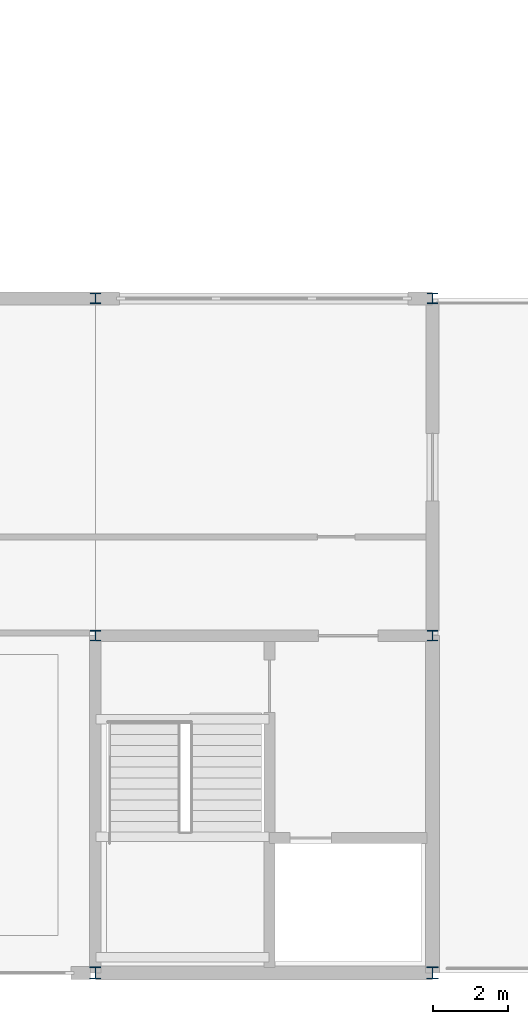
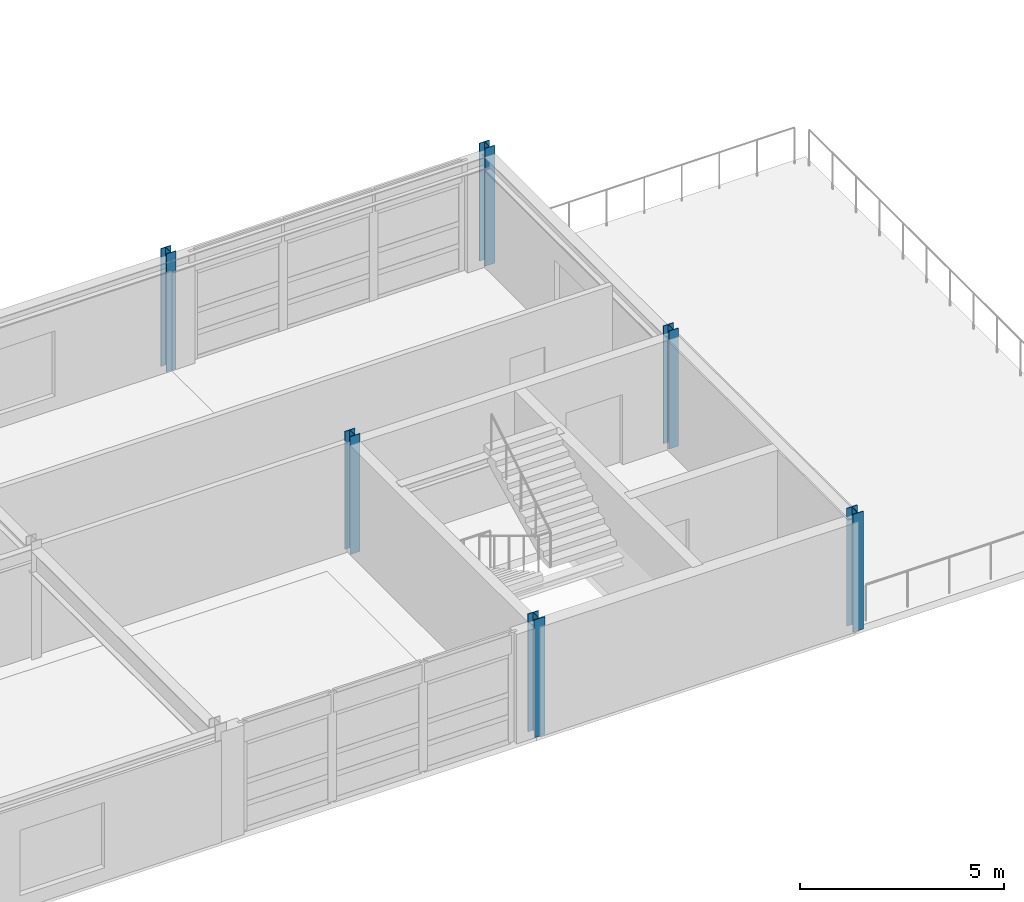
# One storey, part 2 of 11: 6 columns.
"""IFC4 building model written with IfcOpenShell, lengths in metres."""

from ifc_helpers import new_model, si_unit, direction, frame, origin, origin_2d, place, context, subcontext, project, spatial, i_section, extrude, material, material_profile, profile_set, type_object, element, save


model = new_model("IFC4")

# Units and contexts
model_context = context("Model", 3, precision=1e-05, world=origin(), true_north=direction((0.0, 1.0)))
body_context = subcontext(model_context, "Body", "Model", "MODEL_VIEW")
ifc_project = project(units=[si_unit("LENGTHUNIT", "METRE"), si_unit("AREAUNIT", "SQUARE_METRE"), si_unit("VOLUMEUNIT", "CUBIC_METRE"), si_unit("PLANEANGLEUNIT", "RADIAN"), si_unit("MASSUNIT", "GRAM", prefix="KILO")], contexts=[model_context])

# Site, building, storey
site_placement = place(None, origin())
site = spatial("IfcSite", under=ifc_project, at=site_placement, CompositionType="ELEMENT")
building_placement = place(site_placement, origin())
building = spatial("IfcBuilding", under=site, at=building_placement, Name="Palais des Congres Ocreval", CompositionType="ELEMENT")
storey_placement = place(building_placement, frame((0.0, 0.0, 26.8798828125)))
storey = spatial("IfcBuildingStorey", under=building, at=storey_placement, Name="L08", CompositionType="ELEMENT", Elevation=26.8798828125)

# Columns
ifc_material = material(Name="Steel S355", Category="steel")
ifc_material_profile_1 = material_profile(ifc_material, i_section(OverallWidth=0.280029296875, OverallDepth=0.280029296875, WebThickness=0.010498046875, FlangeThickness=0.01806640625, at=origin_2d()), Name="HEB 280")
ifc_profile_set_1 = profile_set([ifc_material_profile_1], Name="Steel S355")
column_type_1 = type_object("IfcColumnType", Name="Column HEB 280 Steel S355", PredefinedType="COLUMN", material=ifc_profile_set_1)
for number, where, z_axis, x_axis, name in (
    (1, (36.0, 9.0, 0.0), (0.0, 0.0, 1.0), (1.0, 0.0, 0.0), "Column C13 L08"),
    (2, (36.0, 18.0, 0.0), (0.0, 0.0, 1.0), (1.0, 0.0, 0.0), "Column C13 L08"),
    (3, (45.0, 9.0, 0.0), (0.0, 0.0, 1.0), (1.0, 0.0, 0.0), "Column C13 L08"),
    (4, (45.0, 18.0, 0.0), (0.0, 0.0, 1.0), (1.0, 0.0, 0.0), "Column C13 L08"),
):
    element("IfcColumn", number, at=place(storey_placement, frame(where, z_axis=z_axis, x_axis=x_axis)), inside=storey, type_object=column_type_1, Name=name, PredefinedType="COLUMN", context=body_context, shape_type="SweptSolid", body=[
        extrude(i_section(OverallWidth=0.280029296875, OverallDepth=0.280029296875, WebThickness=0.010498046875, FlangeThickness=0.01806640625, at=origin_2d()), origin(), (0.0, 0.0, 1.0), 3.52001953125),
    ])
ifc_material_profile_2 = material_profile(ifc_material, i_section(OverallWidth=0.300048828125, OverallDepth=0.320068359375, WebThickness=0.011474609375, FlangeThickness=0.0205078125, at=origin_2d()), Name="HEB 320")
ifc_profile_set_2 = profile_set([ifc_material_profile_2], Name="Steel S355")
column_type_2 = type_object("IfcColumnType", Name="Column HEB 320 Steel S355", PredefinedType="COLUMN", material=ifc_profile_set_2)
for number, where, z_axis, x_axis, name in (
    (5, (36.0, 0.0, 0.0), (0.0, 0.0, 1.0), (1.0, 0.0, 0.0), "Column C12 L08"),
    (6, (45.0, 0.0, 0.0), (0.0, 0.0, 1.0), (1.0, 0.0, 0.0), "Column C12 L08"),
):
    element("IfcColumn", number, at=place(storey_placement, frame(where, z_axis=z_axis, x_axis=x_axis)), inside=storey, type_object=column_type_2, Name=name, PredefinedType="COLUMN", context=body_context, shape_type="SweptSolid", body=[
        extrude(i_section(OverallWidth=0.300048828125, OverallDepth=0.320068359375, WebThickness=0.011474609375, FlangeThickness=0.0205078125, at=origin_2d()), origin(), (0.0, 0.0, 1.0), 3.52001953125),
    ])

save(model, "model.ifc")
